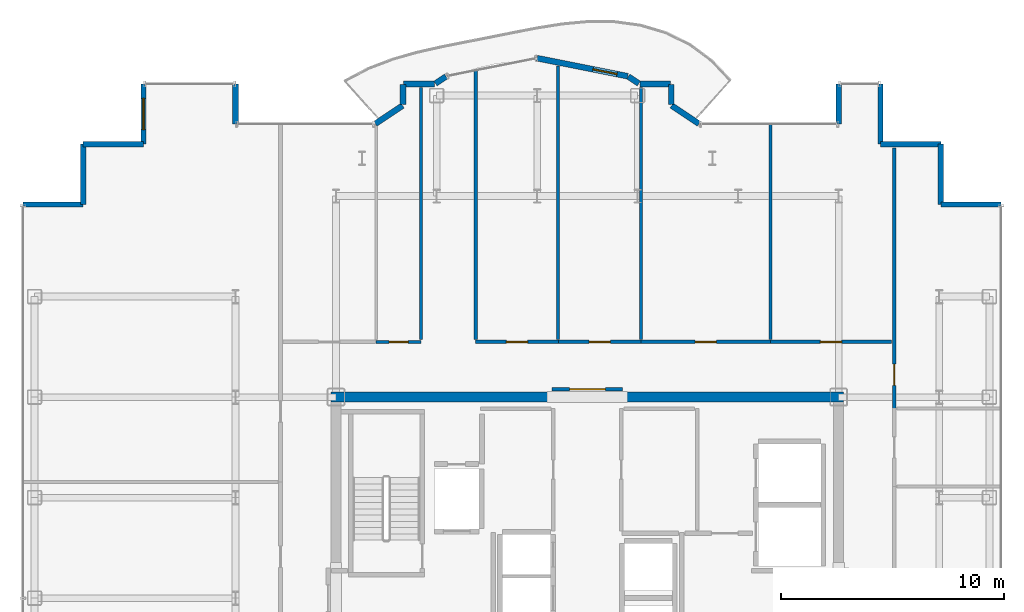
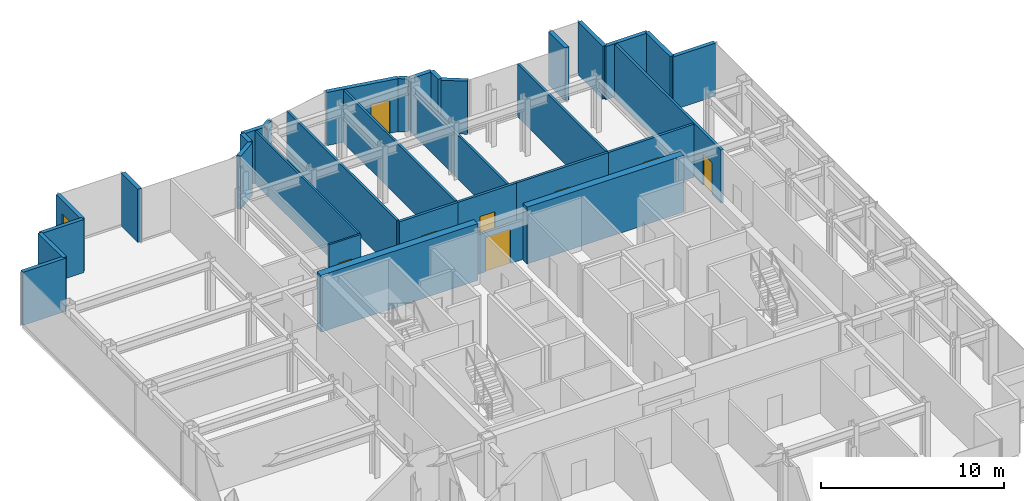
# One storey, part 16 of 18: 33 walls, 8 doors, 1 window, 9 openings.
"""IFC4 building model written with IfcOpenShell, lengths in metres."""

from ifc_helpers import new_model, si_unit, direction, frame, frame_2d, origin, place, context, subcontext, project, spatial, rectangle, extrude, source, transform, mapped, material, layer, layer_set, type_object, element, fill, save


model = new_model("IFC4")

# Units and contexts
model_context = context("Model", 3, precision=1e-05, world=origin(), true_north=direction((0.0, 1.0)))
body_context = subcontext(model_context, "Body", "Model", "MODEL_VIEW")
ifc_project = project(units=[si_unit("LENGTHUNIT", "METRE"), si_unit("AREAUNIT", "SQUARE_METRE"), si_unit("VOLUMEUNIT", "CUBIC_METRE"), si_unit("PLANEANGLEUNIT", "RADIAN"), si_unit("MASSUNIT", "GRAM", prefix="KILO")], contexts=[model_context])

# Site, building, storey
site_placement = place(None, origin())
site = spatial("IfcSite", under=ifc_project, at=site_placement, CompositionType="ELEMENT")
building_placement = place(site_placement, origin())
building = spatial("IfcBuilding", under=site, at=building_placement, Name="Nefas-Gora Pilgrimage Tower", CompositionType="ELEMENT")
storey_placement = place(building_placement, frame((0.0, 0.0, 272.199951171875)))
storey = spatial("IfcBuildingStorey", under=building, at=storey_placement, Name="L68", CompositionType="ELEMENT", Elevation=272.199951171875)

# Walls
ifc_material_1 = material(Name="Concrete C50/60", Category="concrete")
ifc_layer_1 = layer(ifc_material_1, 0.449951171875)
ifc_layer_set_1 = layer_set([ifc_layer_1], Name="Concrete C50/60")
wall_type_1 = type_object("IfcWallType", Name="SW-CORE-450", PredefinedType="SHEAR", material=ifc_layer_set_1)
shared_shape_1 = source(origin(), body_context, "Body", "SweptSolid", [
    extrude(rectangle(XDim=9.925048828125, YDim=0.449951171875, at=frame_2d((4.96240234375, 0.0))), origin(), (0.0, 0.0, 1.0), 3.800048828125),
])
for number, where, z_axis, x_axis, name in (
    (1, (-11.47509765625, 9.0, 0.0), (0.0, 0.0, 1.0), (1.0, 0.0, 0.0), "L68 Core Shear Wall N-West"),
    (2, (1.550048828125, 9.0, 0.0), (0.0, 0.0, 1.0), (1.0, 0.0, 0.0), "L68 Core Shear Wall N-East"),
):
    element("IfcWall", number, at=place(storey_placement, frame(where, z_axis=z_axis, x_axis=x_axis)), inside=storey, type_object=wall_type_1, Name=name, PredefinedType="SHEAR", context=body_context, shape_type="MappedRepresentation", body=[
        mapped(shared_shape_1, transform((0.0, 0.0, 0.0), x_axis=(1.0, 0.0, 0.0), y_axis=(0.0, 1.0, 0.0), z_axis=(0.0, 0.0, 1.0), scale=1.0)),
    ])
ifc_material_2 = material(Name="Precast concrete C40/50", Category="concrete")
ifc_layer_2 = layer(ifc_material_2, 0.260009765625)
ifc_layer_set_2 = layer_set([ifc_layer_2], Name="Precast concrete C40/50")
wall_type_2 = type_object("IfcWallType", Name="EW-PORTAL-260", PredefinedType="SOLIDWALL", material=ifc_layer_set_2)
shared_shape_2 = source(origin(), body_context, "Body", "SweptSolid", [
    extrude(rectangle(XDim=1.800048828125, YDim=0.260009765625, at=frame_2d((0.89990234375, 0.0))), origin(), (0.0, 0.0, 1.0), 3.550048828125),
])
for number, where, z_axis, x_axis, name in (
    (3, (11.25, 23.02001953125, 0.0), (0.0, 0.0, 1.0), (0.0, -1.0, 0.0), "L68 Lobe Shoulder Precast Spandrel Pier 6"),
    (4, (-15.75, 21.219970703125, 0.0), (0.0, 0.0, 1.0), (0.0, 1.0, 0.0), "L68 Lobe Shoulder Precast Spandrel Pier 16"),
):
    element("IfcWall", number, at=place(storey_placement, frame(where, z_axis=z_axis, x_axis=x_axis)), inside=storey, type_object=wall_type_2, Name=name, PredefinedType="SOLIDWALL", context=body_context, shape_type="MappedRepresentation", body=[
        mapped(shared_shape_2, transform((0.0, 0.0, 0.0), x_axis=(1.0, 0.0, 0.0), y_axis=(0.0, 1.0, 0.0), z_axis=(0.0, 0.0, 1.0), scale=1.0)),
    ])
ifc_material_3 = material(Name="Precast concrete C45/55", Category="concrete")
ifc_layer_3 = layer(ifc_material_3, 0.239990234375)
ifc_layer_set_3 = layer_set([ifc_layer_3], Name="Precast concrete C45/55")
wall_type_3 = type_object("IfcWallType", Name="EW-SERR-240", PredefinedType="SHEAR", material=ifc_layer_set_3)
shared_shape_3 = source(origin(), body_context, "Body", "SweptSolid", [
    extrude(rectangle(XDim=2.699951171875, YDim=0.239990234375, at=frame_2d((1.35009765625, 0.0))), origin(), (0.0, 0.0, 1.0), 3.550048828125),
])
for number, where, z_axis, x_axis, name in (
    (5, (18.52001953125, 17.6201171875, 0.0), (0.0, 0.0, 1.0), (-1.0, 0.0, 0.0), "L68 Serrated Corner Shear Pier Wall 2"),
    (6, (15.820068359375, 17.6201171875, 0.0), (0.0, 0.0, 1.0), (0.0, 1.0, 0.0), "L68 Serrated Corner Shear Pier Wall 3"),
    (7, (15.820068359375, 20.320068359375, 0.0), (0.0, 0.0, 1.0), (-1.0, 0.0, 0.0), "L68 Serrated Corner Shear Pier Wall 4"),
    (8, (13.1201171875, 20.320068359375, 0.0), (0.0, 0.0, 1.0), (0.0, 1.0, 0.0), "L68 Serrated Corner Shear Pier Wall 5"),
):
    element("IfcWall", number, at=place(storey_placement, frame(where, z_axis=z_axis, x_axis=x_axis)), inside=storey, type_object=wall_type_3, Name=name, PredefinedType="SHEAR", context=body_context, shape_type="MappedRepresentation", body=[
        mapped(shared_shape_3, transform((0.0, 0.0, 0.0), x_axis=(1.0, 0.0, 0.0), y_axis=(0.0, 1.0, 0.0), z_axis=(0.0, 0.0, 1.0), scale=1.0)),
    ])

# Wall, opening, window
wall_1_placement = place(storey_placement, frame((-19.8701171875, 23.02001953125, 0.0), z_axis=(0.0, 0.0, 1.0), x_axis=(0.0, -1.0, 0.0)))
wall_1 = element("IfcWall", 9, at=wall_1_placement, inside=storey, type_object=wall_type_3, Name="L68 Serrated Corner Shear Pier Wall 17", PredefinedType="SHEAR", context=body_context, shape_type="MappedRepresentation", body=[
    mapped(shared_shape_3, transform((0.0, 0.0, 0.0), x_axis=(1.0, 0.0, 0.0), y_axis=(0.0, 1.0, 0.0), z_axis=(0.0, 0.0, 1.0), scale=1.0)),
])
opening_1_placement = place(wall_1_placement, frame((0.64990234375, 0.0, 0.85009765625)))
opening_1 = element("IfcOpeningElement", 10, at=opening_1_placement, cuts=wall_1, Name="Opening W-V2", PredefinedType="OPENING", context=body_context, shape_type="SweptSolid", body=[
    extrude(rectangle(XDim=1.39990234375, YDim=1.800048828125, at=frame_2d((0.699951171875, 0.89990234375))), frame((0.0, 0.1298828125, 0.0), z_axis=(0.0, -1.0, 0.0), x_axis=(1.0, 0.0, 0.0)), (0.0, 0.0, 1.0), 0.260009765625),
])
ifc_material_4 = material(Name="Dark ceramic-fritted operable aluminium-glass window", Category="aluminium")
window_type = type_object("IfcWindowType", Name="WIN-VENT-1400x1800", PartitioningType="SINGLE_PANEL", PredefinedType="WINDOW", material=ifc_material_4)
shared_shape_4 = source(origin(), body_context, "Body", "SweptSolid", [
    extrude(rectangle(XDim=1.39990234375, YDim=1.800048828125, at=frame_2d((0.699951171875, 0.89990234375))), frame((0.0, 0.030029296875, 0.0), z_axis=(0.0, -1.0, 0.0), x_axis=(1.0, 0.0, 0.0)), (0.0, 0.0, 1.0), 0.06005859375),
])
window_placement = place(opening_1_placement, origin())
window = element("IfcWindow", 11, at=window_placement, inside=storey, type_object=window_type, Name="L68 Operable Parallel-Outswing Window 17", OverallHeight=1.800048828125, OverallWidth=1.39990234375, PartitioningType="SINGLE_PANEL", PredefinedType="WINDOW", context=body_context, shape_type="MappedRepresentation", body=[
    mapped(shared_shape_4, transform((0.0, 0.0, 0.0), x_axis=(1.0, 0.0, 0.0), y_axis=(0.0, 1.0, 0.0), z_axis=(0.0, 0.0, 1.0), scale=1.0)),
])
fill(opening_1, window)

# Walls
for number, where, z_axis, x_axis, name in (
    (12, (-19.8701171875, 20.320068359375, 0.0), (0.0, 0.0, 1.0), (-1.0, 0.0, 0.0), "L68 Serrated Corner Shear Pier Wall 18"),
    (13, (-22.570068359375, 20.320068359375, 0.0), (0.0, 0.0, 1.0), (0.0, -1.0, 0.0), "L68 Serrated Corner Shear Pier Wall 19"),
    (14, (-22.570068359375, 17.6201171875, 0.0), (0.0, 0.0, 1.0), (-1.0, 0.0, 0.0), "L68 Serrated Corner Shear Pier Wall 20"),
):
    element("IfcWall", number, at=place(storey_placement, frame(where, z_axis=z_axis, x_axis=x_axis)), inside=storey, type_object=wall_type_3, Name=name, PredefinedType="SHEAR", context=body_context, shape_type="MappedRepresentation", body=[
        mapped(shared_shape_3, transform((0.0, 0.0, 0.0), x_axis=(1.0, 0.0, 0.0), y_axis=(0.0, 1.0, 0.0), z_axis=(0.0, 0.0, 1.0), scale=1.0)),
    ])
shared_shape_5 = source(origin(), body_context, "Body", "SweptSolid", [
    extrude(rectangle(XDim=1.468994140625, YDim=0.260009765625, at=frame_2d((0.734375, 0.0))), origin(), (0.0, 0.0, 1.0), 3.550048828125),
])
for number, where, z_axis, x_axis, name in (
    (15, (4.99462890625, 21.235595703125, 0.0), (0.0, 0.0, 1.0), (-0.831461760506, 0.555581983884, 0.0), "L68 Lobe Shoulder Precast Spandrel Pier 7"),
    (16, (-8.273193359375, 22.0517578125, 0.0), (0.0, 0.0, 1.0), (-0.831461760506, -0.555581983884, 0.0), "L68 Lobe Shoulder Precast Spandrel Pier 15"),
):
    element("IfcWall", number, at=place(storey_placement, frame(where, z_axis=z_axis, x_axis=x_axis)), inside=storey, type_object=wall_type_2, Name=name, PredefinedType="SOLIDWALL", context=body_context, shape_type="MappedRepresentation", body=[
        mapped(shared_shape_5, transform((0.0, 0.0, 0.0), x_axis=(1.0, 0.0, 0.0), y_axis=(0.0, 1.0, 0.0), z_axis=(0.0, 0.0, 1.0), scale=1.0)),
    ])
shared_shape_6 = source(origin(), body_context, "Body", "SweptSolid", [
    extrude(rectangle(XDim=0.896728515625, YDim=0.260009765625, at=frame_2d((0.4482421875, 0.0))), origin(), (0.0, 0.0, 1.0), 3.550048828125),
])
for number, where, z_axis, x_axis, name in (
    (17, (3.75, 22.09521484375, 0.0), (0.0, 0.0, 1.0), (0.0, 1.0, 0.0), "L68 Lobe Shoulder Precast Spandrel Pier 8"),
    (18, (-8.25, 22.991943359375, 0.0), (0.0, 0.0, 1.0), (0.0, -1.0, 0.0), "L68 Lobe Shoulder Precast Spandrel Pier 14"),
):
    element("IfcWall", number, at=place(storey_placement, frame(where, z_axis=z_axis, x_axis=x_axis)), inside=storey, type_object=wall_type_2, Name=name, PredefinedType="SOLIDWALL", context=body_context, shape_type="MappedRepresentation", body=[
        mapped(shared_shape_6, transform((0.0, 0.0, 0.0), x_axis=(1.0, 0.0, 0.0), y_axis=(0.0, 1.0, 0.0), z_axis=(0.0, 0.0, 1.0), scale=1.0)),
    ])
shared_shape_7 = source(origin(), body_context, "Body", "SweptSolid", [
    extrude(rectangle(XDim=1.369873046875, YDim=0.260009765625, at=frame_2d((0.68505859375, 0.0))), origin(), (0.0, 0.0, 1.0), 3.550048828125),
])
for number, where, z_axis, x_axis, name in (
    (19, (3.721923828125, 23.02001953125, 0.0), (0.0, 0.0, 1.0), (-1.0, 0.0, 0.0), "L68 Lobe Shoulder Precast Spandrel Pier 9"),
    (20, (-6.85205078125, 23.02001953125, 0.0), (0.0, 0.0, 1.0), (-1.0, 0.0, 0.0), "L68 Lobe Shoulder Precast Spandrel Pier 13"),
):
    element("IfcWall", number, at=place(storey_placement, frame(where, z_axis=z_axis, x_axis=x_axis)), inside=storey, type_object=wall_type_2, Name=name, PredefinedType="SOLIDWALL", context=body_context, shape_type="MappedRepresentation", body=[
        mapped(shared_shape_7, transform((0.0, 0.0, 0.0), x_axis=(1.0, 0.0, 0.0), y_axis=(0.0, 1.0, 0.0), z_axis=(0.0, 0.0, 1.0), scale=1.0)),
    ])
shared_shape_8 = source(origin(), body_context, "Body", "SweptSolid", [
    extrude(rectangle(XDim=0.5654296875, YDim=0.260009765625, at=frame_2d((0.28271484375, 0.0))), origin(), (0.0, 0.0, 1.0), 3.550048828125),
])
for number, where, z_axis, x_axis, name in (
    (21, (2.30078125, 23.03564453125, 0.0), (0.0, 0.0, 1.0), (-0.831651492666, 0.555297933317, 0.0), "L68 Lobe Shoulder Precast Spandrel Pier 10"),
    (22, (-6.33056640625, 23.349609375, 0.0), (0.0, 0.0, 1.0), (-0.831651492666, -0.555297933317, 0.0), "L68 Lobe Shoulder Precast Spandrel Pier 12"),
):
    element("IfcWall", number, at=place(storey_placement, frame(where, z_axis=z_axis, x_axis=x_axis)), inside=storey, type_object=wall_type_2, Name=name, PredefinedType="SOLIDWALL", context=body_context, shape_type="MappedRepresentation", body=[
        mapped(shared_shape_8, transform((0.0, 0.0, 0.0), x_axis=(1.0, 0.0, 0.0), y_axis=(0.0, 1.0, 0.0), z_axis=(0.0, 0.0, 1.0), scale=1.0)),
    ])

# Wall, opening, door
shared_shape_9 = source(origin(), body_context, "Body", "SweptSolid", [
    extrude(rectangle(XDim=4.136962890625, YDim=0.260009765625, at=frame_2d((2.068359375, 0.0))), origin(), (0.0, 0.0, 1.0), 3.550048828125),
])
wall_2_placement = place(storey_placement, frame((1.807373046875, 23.365234375, 0.0), z_axis=(0.0, 0.0, 1.0), x_axis=(-0.980782170794, 0.195105954428, 0.0)))
wall_2 = element("IfcWall", 23, at=wall_2_placement, inside=storey, type_object=wall_type_2, Name="L68 Insulated Terrace Portal Wall 11", PredefinedType="SOLIDWALL", context=body_context, shape_type="MappedRepresentation", body=[
    mapped(shared_shape_9, transform((0.0, 0.0, 0.0), x_axis=(1.0, 0.0, 0.0), y_axis=(0.0, 1.0, 0.0), z_axis=(0.0, 0.0, 1.0), scale=1.0)),
])
opening_2_placement = place(wall_2_placement, frame((0.48779296875, 0.0, 0.0)))
opening_2 = element("IfcOpeningElement", 24, at=opening_2_placement, cuts=wall_2, Name="Opening ED-B1", PredefinedType="OPENING", context=body_context, shape_type="SweptSolid", body=[
    extrude(rectangle(XDim=1.10009765625, YDim=2.199951171875, at=frame_2d((0.550048828125, 1.10009765625))), frame((0.0, 0.139892578125, 0.0), z_axis=(0.0, -1.0, 0.0), x_axis=(1.0, 0.0, 0.0)), (0.0, 0.0, 1.0), 0.280029296875),
])
ifc_material_5 = material(Name="Thermally broken glazed aluminium balcony door", Category="aluminium")
door_type_1 = type_object("IfcDoorType", Name="DR-EXT-BAL-1100", OperationType="NOTDEFINED", PredefinedType="DOOR", material=ifc_material_5)
shared_shape_10 = source(origin(), body_context, "Body", "SweptSolid", [
    extrude(rectangle(XDim=1.10009765625, YDim=2.199951171875, at=frame_2d((0.550048828125, 1.10009765625))), frame((0.0, 0.02490234375, 0.0), z_axis=(0.0, -1.0, 0.0), x_axis=(1.0, 0.0, 0.0)), (0.0, 0.0, 1.0), 0.050048828125),
])
door_1_placement = place(opening_2_placement, origin())
door_1 = element("IfcDoor", 25, at=door_1_placement, inside=storey, type_object=door_type_1, Name="L68 Exterior Door (L68 N Lobe Wave Balcony)", OperationType="SINGLE_SWING_RIGHT", OverallHeight=2.199951171875, OverallWidth=1.10009765625, PredefinedType="DOOR", context=body_context, shape_type="MappedRepresentation", body=[
    mapped(shared_shape_10, transform((0.0, 0.0, 0.0), x_axis=(1.0, 0.0, 0.0), y_axis=(0.0, 1.0, 0.0), z_axis=(0.0, 0.0, 1.0), scale=1.0)),
])
fill(opening_2, door_1)

ifc_material_6 = material(Name="Moisture-resistant fire-rated gypsum partition")
ifc_layer_4 = layer(ifc_material_6, 0.1201171875)
ifc_layer_set_4 = layer_set([ifc_layer_4], Name="Moisture-resistant fire-rated gypsum partition")
wall_type_4 = type_object("IfcWallType", Name="IW-WET-120", PredefinedType="PLUMBINGWALL", material=ifc_layer_set_4)
shared_shape_11 = source(origin(), body_context, "Body", "SweptSolid", [
    extrude(rectangle(XDim=2.02001953125, YDim=0.1201171875, at=frame_2d((1.010009765625, 0.0))), origin(), (0.0, 0.0, 1.0), 3.53515625),
])
wall_3_placement = place(storey_placement, frame((-9.4599609375, 11.469970703125, 0.0), z_axis=(0.0, 0.0, 1.0), x_axis=(1.0, 0.0, 0.0)))
wall_3 = element("IfcWall", 26, at=wall_3_placement, inside=storey, type_object=wall_type_4, Name="L68 Accessible Unisex WC Partition Wall 30", PredefinedType="PLUMBINGWALL", context=body_context, shape_type="MappedRepresentation", body=[
    mapped(shared_shape_11, transform((0.0, 0.0, 0.0), x_axis=(1.0, 0.0, 0.0), y_axis=(0.0, 1.0, 0.0), z_axis=(0.0, 0.0, 1.0), scale=1.0)),
])
opening_3_placement = place(wall_3_placement, frame((0.5849609375, 0.0, 0.0)))
opening_3 = element("IfcOpeningElement", 27, at=opening_3_placement, cuts=wall_3, Name="Opening ID-BT1", PredefinedType="OPENING", context=body_context, shape_type="SweptSolid", body=[
    extrude(rectangle(XDim=0.85009765625, YDim=2.10009765625, at=frame_2d((0.425048828125, 1.050048828125))), frame((0.0, 0.070068359375, 0.0), z_axis=(0.0, -1.0, 0.0), x_axis=(1.0, 0.0, 0.0)), (0.0, 0.0, 1.0), 0.14013671875),
])
ifc_material_7 = material(Name="Moisture-resistant fire-rated timber door", Category="wood")
door_type_2 = type_object("IfcDoorType", Name="DR-INT-BATH-850", OperationType="NOTDEFINED", PredefinedType="DOOR", material=ifc_material_7)
shared_shape_12 = source(origin(), body_context, "Body", "SweptSolid", [
    extrude(rectangle(XDim=0.85009765625, YDim=2.10009765625, at=frame_2d((0.425048828125, 1.050048828125))), frame((0.0, 0.02490234375, 0.0), z_axis=(0.0, -1.0, 0.0), x_axis=(1.0, 0.0, 0.0)), (0.0, 0.0, 1.0), 0.050048828125),
])
door_2_placement = place(opening_3_placement, origin())
door_2 = element("IfcDoor", 28, at=door_2_placement, inside=storey, type_object=door_type_2, Name="L68 Accessible Unisex WC Door 13", OperationType="SINGLE_SWING_RIGHT", OverallHeight=2.10009765625, OverallWidth=0.85009765625, PredefinedType="DOOR", context=body_context, shape_type="MappedRepresentation", body=[
    mapped(shared_shape_12, transform((0.0, 0.0, 0.0), x_axis=(1.0, 0.0, 0.0), y_axis=(0.0, 1.0, 0.0), z_axis=(0.0, 0.0, 1.0), scale=1.0)),
])
fill(opening_3, door_2)

# Walls
shared_shape_13 = source(origin(), body_context, "Body", "SweptSolid", [
    extrude(rectangle(XDim=11.280029296875, YDim=0.1201171875, at=frame_2d((5.64013671875, 0.0))), origin(), (0.0, 0.0, 1.0), 3.53515625),
])
wall_4_placement = place(storey_placement, frame((-7.449951171875, 11.570068359375, 0.0), z_axis=(0.0, 0.0, 1.0), x_axis=(0.0, 1.0, 0.0)))
element("IfcWall", 29, at=wall_4_placement, inside=storey, type_object=wall_type_4, Name="L68 Accessible Unisex WC Partition Wall 31", PredefinedType="PLUMBINGWALL", context=body_context, shape_type="MappedRepresentation", body=[
    mapped(shared_shape_13, transform((0.0, 0.0, 0.0), x_axis=(1.0, 0.0, 0.0), y_axis=(0.0, 1.0, 0.0), z_axis=(0.0, 0.0, 1.0), scale=1.0)),
])
ifc_material_8 = material(Name="Gypsum twin-stud partition")
ifc_layer_5 = layer(ifc_material_8, 0.139892578125)
ifc_layer_set_5 = layer_set([ifc_layer_5], Name="Gypsum twin-stud partition")
wall_type_5 = type_object("IfcWallType", Name="IW-UNIT-140", PredefinedType="PARTITIONING", material=ifc_layer_set_5)
shared_shape_14 = source(origin(), body_context, "Body", "SweptSolid", [
    extrude(rectangle(XDim=9.64990234375, YDim=0.139892578125, at=frame_2d((4.824951171875, 0.0))), origin(), (0.0, 0.0, 1.0), 3.53515625),
])
wall_5_placement = place(storey_placement, frame((8.195068359375, 11.590087890625, 0.0), z_axis=(0.0, 0.0, 1.0), x_axis=(0.0, 1.0, 0.0)))
element("IfcWall", 30, at=wall_5_placement, inside=storey, type_object=wall_type_5, Name="L68 Pilgrim Contemplative Lounge Partition Wall 56", PredefinedType="PARTITIONING", context=body_context, shape_type="MappedRepresentation", body=[
    mapped(shared_shape_14, transform((0.0, 0.0, 0.0), x_axis=(1.0, 0.0, 0.0), y_axis=(0.0, 1.0, 0.0), z_axis=(0.0, 0.0, 1.0), scale=1.0)),
])

# Wall, opening, door
ifc_material_9 = material(Name="Gypsum acoustic stud partition")
ifc_layer_6 = layer(ifc_material_9, 0.159912109375)
ifc_layer_set_6 = layer_set([ifc_layer_6], Name="Gypsum acoustic stud partition")
wall_type_6 = type_object("IfcWallType", Name="IW-CORR-160", PredefinedType="PARTITIONING", material=ifc_layer_set_6)
shared_shape_15 = source(origin(), body_context, "Body", "SweptSolid", [
    extrude(rectangle(XDim=3.704833984375, YDim=0.159912109375, at=frame_2d((1.8525390625, 0.0))), origin(), (0.0, 0.0, 1.0), 3.53515625),
])
wall_6_placement = place(storey_placement, frame((-5.0048828125, 11.469970703125, 0.0), z_axis=(0.0, 0.0, 1.0), x_axis=(1.0, 0.0, 0.0)))
wall_6 = element("IfcWall", 31, at=wall_6_placement, inside=storey, type_object=wall_type_6, Name="L68 Pilgrim Contemplative Lounge Partition Wall 50", PredefinedType="PARTITIONING", context=body_context, shape_type="MappedRepresentation", body=[
    mapped(shared_shape_15, transform((0.0, 0.0, 0.0), x_axis=(1.0, 0.0, 0.0), y_axis=(0.0, 1.0, 0.0), z_axis=(0.0, 0.0, 1.0), scale=1.0)),
])
opening_4_placement = place(wall_6_placement, frame((1.37744140625, 0.0, 0.0)))
opening_4 = element("IfcOpeningElement", 32, at=opening_4_placement, cuts=wall_6, Name="Opening ID-GR1", PredefinedType="OPENING", context=body_context, shape_type="SweptSolid", body=[
    extrude(rectangle(XDim=0.949951171875, YDim=2.10009765625, at=frame_2d((0.47509765625, 1.050048828125))), frame((0.0, 0.08984375, 0.0), z_axis=(0.0, -1.0, 0.0), x_axis=(1.0, 0.0, 0.0)), (0.0, 0.0, 1.0), 0.179931640625),
])
ifc_material_10 = material(Name="Solid core oak fire-rated guest entrance door")
door_type_3 = type_object("IfcDoorType", Name="DR-INT-GUEST-950", OperationType="NOTDEFINED", PredefinedType="DOOR", material=ifc_material_10)
shared_shape_16 = source(origin(), body_context, "Body", "SweptSolid", [
    extrude(rectangle(XDim=0.949951171875, YDim=2.10009765625, at=frame_2d((0.47509765625, 1.050048828125))), frame((0.0, 0.02490234375, 0.0), z_axis=(0.0, -1.0, 0.0), x_axis=(1.0, 0.0, 0.0)), (0.0, 0.0, 1.0), 0.050048828125),
])
door_3_placement = place(opening_4_placement, origin())
door_3 = element("IfcDoor", 33, at=door_3_placement, inside=storey, type_object=door_type_3, Name="L68 Pilgrim Contemplative Lounge Door 24", OperationType="SINGLE_SWING_LEFT", OverallHeight=2.10009765625, OverallWidth=0.949951171875, PredefinedType="DOOR", context=body_context, shape_type="MappedRepresentation", body=[
    mapped(shared_shape_16, transform((0.0, 0.0, 0.0), x_axis=(1.0, 0.0, 0.0), y_axis=(0.0, 1.0, 0.0), z_axis=(0.0, 0.0, 1.0), scale=1.0)),
])
fill(opening_4, door_3)

shared_shape_17 = source(origin(), body_context, "Body", "SweptSolid", [
    extrude(rectangle(XDim=3.705078125, YDim=0.159912109375, at=frame_2d((1.8525390625, 0.0))), origin(), (0.0, 0.0, 1.0), 3.53515625),
])
wall_7_placement = place(storey_placement, frame((-1.300048828125, 11.469970703125, 0.0), z_axis=(0.0, 0.0, 1.0), x_axis=(1.0, 0.0, 0.0)))
wall_7 = element("IfcWall", 34, at=wall_7_placement, inside=storey, type_object=wall_type_6, Name="L68 Pilgrim Contemplative Lounge Partition Wall 53", PredefinedType="PARTITIONING", context=body_context, shape_type="MappedRepresentation", body=[
    mapped(shared_shape_17, transform((0.0, 0.0, 0.0), x_axis=(1.0, 0.0, 0.0), y_axis=(0.0, 1.0, 0.0), z_axis=(0.0, 0.0, 1.0), scale=1.0)),
])
opening_5_placement = place(wall_7_placement, frame((1.37744140625, 0.0, 0.0)))
opening_5 = element("IfcOpeningElement", 35, at=opening_5_placement, cuts=wall_7, Name="Opening ID-GR1", PredefinedType="OPENING", context=body_context, shape_type="SweptSolid", body=[
    extrude(rectangle(XDim=0.949951171875, YDim=2.10009765625, at=frame_2d((0.47509765625, 1.050048828125))), frame((0.0, 0.08984375, 0.0), z_axis=(0.0, -1.0, 0.0), x_axis=(1.0, 0.0, 0.0)), (0.0, 0.0, 1.0), 0.179931640625),
])
door_4_placement = place(opening_5_placement, origin())
door_4 = element("IfcDoor", 36, at=door_4_placement, inside=storey, type_object=door_type_3, Name="L68 Pilgrim Contemplative Lounge Door 25", OperationType="SINGLE_SWING_RIGHT", OverallHeight=2.10009765625, OverallWidth=0.949951171875, PredefinedType="DOOR", context=body_context, shape_type="MappedRepresentation", body=[
    mapped(shared_shape_16, transform((0.0, 0.0, 0.0), x_axis=(1.0, 0.0, 0.0), y_axis=(0.0, 1.0, 0.0), z_axis=(0.0, 0.0, 1.0), scale=1.0)),
])
fill(opening_5, door_4)

shared_shape_18 = source(origin(), body_context, "Body", "SweptSolid", [
    extrude(rectangle(XDim=5.425048828125, YDim=0.159912109375, at=frame_2d((2.71240234375, 0.0))), origin(), (0.0, 0.0, 1.0), 3.53515625),
])
wall_8_placement = place(storey_placement, frame((8.195068359375, 11.469970703125, 0.0), z_axis=(0.0, 0.0, 1.0), x_axis=(1.0, 0.0, 0.0)))
wall_8 = element("IfcWall", 37, at=wall_8_placement, inside=storey, type_object=wall_type_6, Name="L68 Pilgrim Contemplative Lounge Partition Wall 57", PredefinedType="PARTITIONING", context=body_context, shape_type="MappedRepresentation", body=[
    mapped(shared_shape_18, transform((0.0, 0.0, 0.0), x_axis=(1.0, 0.0, 0.0), y_axis=(0.0, 1.0, 0.0), z_axis=(0.0, 0.0, 1.0), scale=1.0)),
])
opening_6_placement = place(wall_8_placement, frame((2.237548828125, 0.0, 0.0)))
opening_6 = element("IfcOpeningElement", 38, at=opening_6_placement, cuts=wall_8, Name="Opening ID-GR1", PredefinedType="OPENING", context=body_context, shape_type="SweptSolid", body=[
    extrude(rectangle(XDim=0.949951171875, YDim=2.10009765625, at=frame_2d((0.47509765625, 1.050048828125))), frame((0.0, 0.08984375, 0.0), z_axis=(0.0, -1.0, 0.0), x_axis=(1.0, 0.0, 0.0)), (0.0, 0.0, 1.0), 0.179931640625),
])
door_5_placement = place(opening_6_placement, origin())
door_5 = element("IfcDoor", 39, at=door_5_placement, inside=storey, type_object=door_type_3, Name="L68 Pilgrim Contemplative Lounge Door 27", OperationType="SINGLE_SWING_RIGHT", OverallHeight=2.10009765625, OverallWidth=0.949951171875, PredefinedType="DOOR", context=body_context, shape_type="MappedRepresentation", body=[
    mapped(shared_shape_16, transform((0.0, 0.0, 0.0), x_axis=(1.0, 0.0, 0.0), y_axis=(0.0, 1.0, 0.0), z_axis=(0.0, 0.0, 1.0), scale=1.0)),
])
fill(opening_6, door_5)

# Wall
shared_shape_19 = source(origin(), body_context, "Body", "SweptSolid", [
    extrude(rectangle(XDim=12.056640625, YDim=0.139892578125, at=frame_2d((6.0283203125, 0.0))), origin(), (0.0, 0.0, 1.0), 3.53515625),
])
wall_9_placement = place(storey_placement, frame((-4.9951171875, 11.590087890625, 0.0), z_axis=(0.0, 0.0, 1.0), x_axis=(0.0, 1.0, 0.0)))
element("IfcWall", 40, at=wall_9_placement, inside=storey, type_object=wall_type_5, Name="L68 Pilgrim Contemplative Lounge Partition Wall 52", PredefinedType="PARTITIONING", context=body_context, shape_type="MappedRepresentation", body=[
    mapped(shared_shape_19, transform((0.0, 0.0, 0.0), x_axis=(1.0, 0.0, 0.0), y_axis=(0.0, 1.0, 0.0), z_axis=(0.0, 0.0, 1.0), scale=1.0)),
])

# Wall, opening, door
shared_shape_20 = source(origin(), body_context, "Body", "SweptSolid", [
    extrude(rectangle(XDim=5.81005859375, YDim=0.159912109375, at=frame_2d((2.905029296875, 0.0))), origin(), (0.0, 0.0, 1.0), 3.53515625),
])
wall_10_placement = place(storey_placement, frame((2.39501953125, 11.469970703125, 0.0), z_axis=(0.0, 0.0, 1.0), x_axis=(1.0, 0.0, 0.0)))
wall_10 = element("IfcWall", 41, at=wall_10_placement, inside=storey, type_object=wall_type_6, Name="L68 Pilgrim Contemplative Lounge Partition Wall 55", PredefinedType="PARTITIONING", context=body_context, shape_type="MappedRepresentation", body=[
    mapped(shared_shape_20, transform((0.0, 0.0, 0.0), x_axis=(1.0, 0.0, 0.0), y_axis=(0.0, 1.0, 0.0), z_axis=(0.0, 0.0, 1.0), scale=1.0)),
])
opening_7_placement = place(wall_10_placement, frame((2.429931640625, 0.0, 0.0)))
opening_7 = element("IfcOpeningElement", 42, at=opening_7_placement, cuts=wall_10, Name="Opening ID-GR1", PredefinedType="OPENING", context=body_context, shape_type="SweptSolid", body=[
    extrude(rectangle(XDim=0.949951171875, YDim=2.10009765625, at=frame_2d((0.47509765625, 1.050048828125))), frame((0.0, 0.08984375, 0.0), z_axis=(0.0, -1.0, 0.0), x_axis=(1.0, 0.0, 0.0)), (0.0, 0.0, 1.0), 0.179931640625),
])
door_6_placement = place(opening_7_placement, origin())
door_6 = element("IfcDoor", 43, at=door_6_placement, inside=storey, type_object=door_type_3, Name="L68 Pilgrim Contemplative Lounge Door 26", OperationType="SINGLE_SWING_LEFT", OverallHeight=2.10009765625, OverallWidth=0.949951171875, PredefinedType="DOOR", context=body_context, shape_type="MappedRepresentation", body=[
    mapped(shared_shape_16, transform((0.0, 0.0, 0.0), x_axis=(1.0, 0.0, 0.0), y_axis=(0.0, 1.0, 0.0), z_axis=(0.0, 0.0, 1.0), scale=1.0)),
])
fill(opening_7, door_6)

shared_shape_21 = source(origin(), body_context, "Body", "SweptSolid", [
    extrude(rectangle(XDim=3.16015625, YDim=0.159912109375, at=frame_2d((1.580078125, 0.0))), origin(), (0.0, 0.0, 1.0), 2.625),
])
wall_11_placement = place(storey_placement, frame((-1.580078125, 9.35009765625, 0.0), z_axis=(0.0, 0.0, 1.0), x_axis=(1.0, 0.0, 0.0)))
wall_11 = element("IfcWall", 44, at=wall_11_placement, inside=storey, type_object=wall_type_6, Name="L68 Central Lift Lobby North Portal Wall 16", PredefinedType="PARTITIONING", context=body_context, shape_type="MappedRepresentation", body=[
    mapped(shared_shape_21, transform((0.0, 0.0, 0.0), x_axis=(1.0, 0.0, 0.0), y_axis=(0.0, 1.0, 0.0), z_axis=(0.0, 0.0, 1.0), scale=1.0)),
])
opening_8_placement = place(wall_11_placement, frame((0.780029296875, 0.0, 0.0)))
opening_8 = element("IfcOpeningElement", 45, at=opening_8_placement, cuts=wall_11, Name="Opening ID-HL1", PredefinedType="OPENING", context=body_context, shape_type="SweptSolid", body=[
    extrude(rectangle(XDim=1.60009765625, YDim=2.300048828125, at=frame_2d((0.800048828125, 1.14990234375))), frame((0.0, 0.08984375, 0.0), z_axis=(0.0, -1.0, 0.0), x_axis=(1.0, 0.0, 0.0)), (0.0, 0.0, 1.0), 0.179931640625),
])
ifc_material_11 = material(Name="Double acoustic timber assembly hall door", Category="wood")
door_type_4 = type_object("IfcDoorType", Name="DR-INT-HALL-1600", OperationType="DOUBLE_DOOR_SINGLE_SWING", PredefinedType="DOOR", material=ifc_material_11)
shared_shape_22 = source(origin(), body_context, "Body", "SweptSolid", [
    extrude(rectangle(XDim=1.60009765625, YDim=2.300048828125, at=frame_2d((0.800048828125, 1.14990234375))), frame((0.0, 0.02490234375, 0.0), z_axis=(0.0, -1.0, 0.0), x_axis=(1.0, 0.0, 0.0)), (0.0, 0.0, 1.0), 0.050048828125),
])
door_7_placement = place(opening_8_placement, origin())
door_7 = element("IfcDoor", 46, at=door_7_placement, inside=storey, type_object=door_type_4, Name="L68 Central Lift Lobby North Portal Door 6", OperationType="DOUBLE_DOOR_SINGLE_SWING", OverallHeight=2.300048828125, OverallWidth=1.60009765625, PredefinedType="DOOR", context=body_context, shape_type="MappedRepresentation", body=[
    mapped(shared_shape_22, transform((0.0, 0.0, 0.0), x_axis=(1.0, 0.0, 0.0), y_axis=(0.0, 1.0, 0.0), z_axis=(0.0, 0.0, 1.0), scale=1.0)),
])
fill(opening_8, door_7)

shared_shape_23 = source(origin(), body_context, "Body", "SweptSolid", [
    extrude(rectangle(XDim=11.664794921875, YDim=0.159912109375, at=frame_2d((5.83251953125, 0.0))), origin(), (0.0, 0.0, 1.0), 3.53515625),
])
wall_12_placement = place(storey_placement, frame((13.739990234375, 8.4951171875, 0.0), z_axis=(0.0, 0.0, 1.0), x_axis=(0.0, 1.0, 0.0)))
wall_12 = element("IfcWall", 47, at=wall_12_placement, inside=storey, type_object=wall_type_6, Name="L68 Pilgrim Contemplative Lounge Partition Wall 48", PredefinedType="PARTITIONING", context=body_context, shape_type="MappedRepresentation", body=[
    mapped(shared_shape_23, transform((0.0, 0.0, 0.0), x_axis=(1.0, 0.0, 0.0), y_axis=(0.0, 1.0, 0.0), z_axis=(0.0, 0.0, 1.0), scale=1.0)),
])
opening_9_placement = place(wall_12_placement, frame((1.032470703125, 0.0, 0.0)))
opening_9 = element("IfcOpeningElement", 48, at=opening_9_placement, cuts=wall_12, Name="Opening ID-GR1", PredefinedType="OPENING", context=body_context, shape_type="SweptSolid", body=[
    extrude(rectangle(XDim=0.949951171875, YDim=2.10009765625, at=frame_2d((0.47509765625, 1.050048828125))), frame((0.0, 0.08984375, 0.0), z_axis=(0.0, -1.0, 0.0), x_axis=(1.0, 0.0, 0.0)), (0.0, 0.0, 1.0), 0.179931640625),
])
door_8_placement = place(opening_9_placement, origin())
door_8 = element("IfcDoor", 49, at=door_8_placement, inside=storey, type_object=door_type_3, Name="L68 Pilgrim Contemplative Lounge Door 22", OperationType="SINGLE_SWING_LEFT", OverallHeight=2.10009765625, OverallWidth=0.949951171875, PredefinedType="DOOR", context=body_context, shape_type="MappedRepresentation", body=[
    mapped(shared_shape_16, transform((0.0, 0.0, 0.0), x_axis=(1.0, 0.0, 0.0), y_axis=(0.0, 1.0, 0.0), z_axis=(0.0, 0.0, 1.0), scale=1.0)),
])
fill(opening_9, door_8)

# Walls
shared_shape_24 = source(origin(), body_context, "Body", "SweptSolid", [
    extrude(rectangle(XDim=12.22216796875, YDim=0.139892578125, at=frame_2d((6.111083984375, 0.0))), origin(), (0.0, 0.0, 1.0), 3.53515625),
])
wall_13_placement = place(storey_placement, frame((-1.31005859375, 11.590087890625, 0.0), z_axis=(0.0, 0.0, 1.0), x_axis=(0.0, 1.0, 0.0)))
element("IfcWall", 50, at=wall_13_placement, inside=storey, type_object=wall_type_5, Name="L68 Pilgrim Contemplative Lounge Partition Wall 51", PredefinedType="PARTITIONING", context=body_context, shape_type="MappedRepresentation", body=[
    mapped(shared_shape_24, transform((0.0, 0.0, 0.0), x_axis=(1.0, 0.0, 0.0), y_axis=(0.0, 1.0, 0.0), z_axis=(0.0, 0.0, 1.0), scale=1.0)),
])
shared_shape_25 = source(origin(), body_context, "Body", "SweptSolid", [
    extrude(rectangle(XDim=11.260009765625, YDim=0.139892578125, at=frame_2d((5.6298828125, 0.0))), origin(), (0.0, 0.0, 1.0), 2.925048828125),
])
wall_14_placement = place(storey_placement, frame((2.39501953125, 11.590087890625, 0.0), z_axis=(0.0, 0.0, 1.0), x_axis=(0.0, 1.0, 0.0)))
element("IfcWall", 51, at=wall_14_placement, inside=storey, type_object=wall_type_5, Name="L68 Pilgrim Contemplative Lounge Partition Wall 54", PredefinedType="PARTITIONING", context=body_context, shape_type="MappedRepresentation", body=[
    mapped(shared_shape_25, transform((0.0, 0.0, 0.0), x_axis=(1.0, 0.0, 0.0), y_axis=(0.0, 1.0, 0.0), z_axis=(0.0, 0.0, 1.0), scale=1.0)),
])

save(model, "model.ifc")
